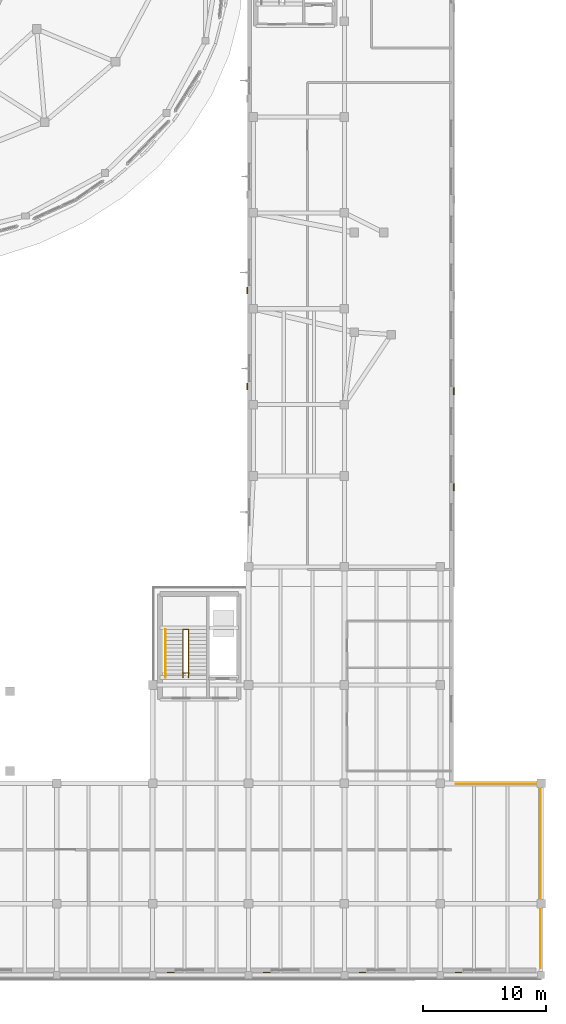
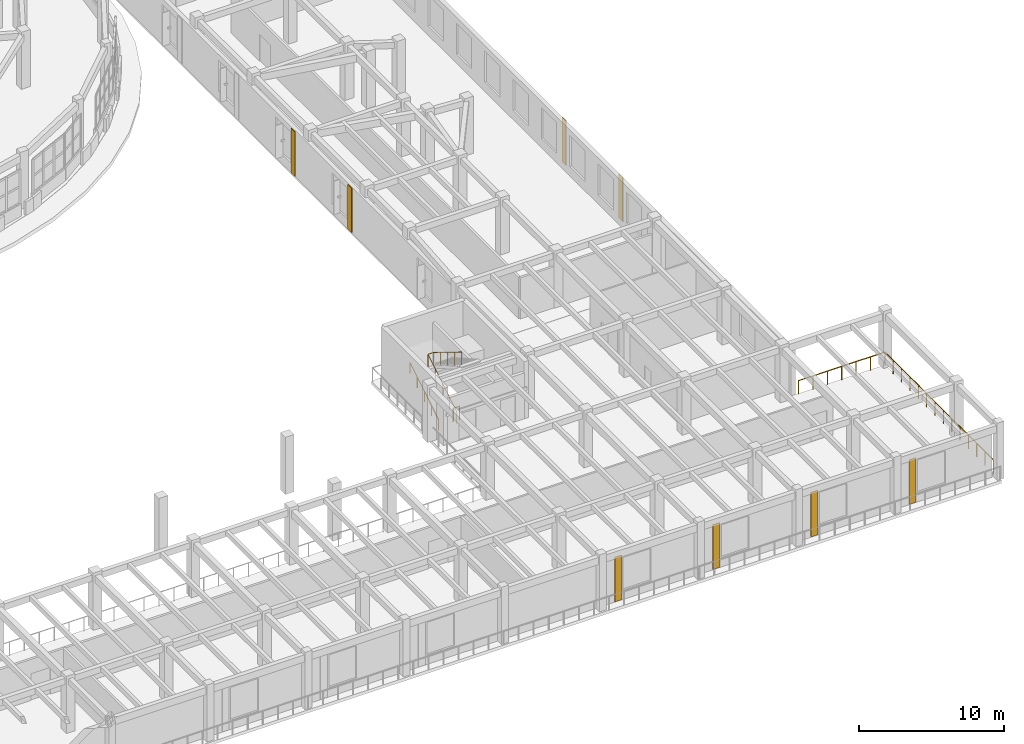
# One storey, part 96 of 98: 8 coverings, 4 railings.
"""IFC4 building model written with IfcOpenShell, lengths in metres."""

from ifc_helpers import new_model, si_unit, direction, frame, origin, origin_2d, place, context, subcontext, project, spatial, rectangle, circle, extrude, material, layer, layer_set, type_object, element, save


model = new_model("IFC4")

# Units and contexts
model_context = context("Model", 3, precision=1e-05, world=origin(), true_north=direction((0.0, 1.0)))
body_context = subcontext(model_context, "Body", "Model", "MODEL_VIEW")
ifc_project = project(units=[si_unit("LENGTHUNIT", "METRE"), si_unit("AREAUNIT", "SQUARE_METRE"), si_unit("VOLUMEUNIT", "CUBIC_METRE"), si_unit("PLANEANGLEUNIT", "RADIAN"), si_unit("MASSUNIT", "GRAM", prefix="KILO")], contexts=[model_context])

# Site, building, storey
site_placement = place(None, origin())
site = spatial("IfcSite", under=ifc_project, at=site_placement, CompositionType="ELEMENT")
building_placement = place(site_placement, origin())
building = spatial("IfcBuilding", under=site, at=building_placement, Name="Pelvatis Terrace Science Centre", CompositionType="ELEMENT")
storey_placement = place(building_placement, frame((0.0, 0.0, 5.39990234375)))
storey = spatial("IfcBuildingStorey", under=building, at=storey_placement, Name="L01", CompositionType="ELEMENT", Elevation=5.39990234375)

# Coverings
ifc_material_1 = material(Name="Fluted warm stone-aggregate precast facade relief panel", Category="masonry")
ifc_layer = layer(ifc_material_1, 0.054931640625)
ifc_layer_set = layer_set([ifc_layer], Name="Fluted warm stone-aggregate precast facade relief panel")
covering_type = type_object("IfcCoveringType", Name="COV-CLAD-PREC-55", PredefinedType="CLADDING", material=ifc_layer_set)
for number, where, z_axis, x_axis, name in (
    (1, (134.080078125, 0.60498046875, 0.06005859375), (0.0, 0.0, 1.0), (1.0, 0.0, 0.0), "Classical fluted stone pilaster strip 08"),
    (2, (141.8798828125, 0.60498046875, 0.06005859375), (0.0, 0.0, 1.0), (1.0, 0.0, 0.0), "Classical fluted stone pilaster strip 09"),
    (3, (149.679931640625, 0.60498046875, 0.06005859375), (0.0, 0.0, 1.0), (1.0, 0.0, 0.0), "Classical fluted stone pilaster strip 10"),
    (4, (157.47998046875, 0.60498046875, 0.06005859375), (0.0, 0.0, 1.0), (1.0, 0.0, 0.0), "Classical fluted stone pilaster strip 11"),
):
    element("IfcCovering", number, at=place(storey_placement, frame(where, z_axis=z_axis, x_axis=x_axis)), inside=storey, type_object=covering_type, Name=name, PredefinedType="CLADDING", context=body_context, shape_type="SweptSolid", body=[
        extrude(rectangle(XDim=0.550048828125, YDim=0.054931640625, at=origin_2d()), origin(), (0.0, 0.0, 1.0), 3.739990234375),
    ])
for number, where, z_axis, x_axis, name in (
    (5, (157.094970703125, 40.080078125, 0.06005859375), (0.0, 0.0, 1.0), (1.0, 0.0, 0.0), "Classical fluted stone pilaster strip 12"),
    (6, (157.094970703125, 47.8798828125, 0.06005859375), (0.0, 0.0, 1.0), (1.0, 0.0, 0.0), "Classical fluted stone pilaster strip 13"),
    (7, (140.29248046875, 48.280029296875, 0.06005859375), (0.0, 0.0, 1.0), (1.0, 0.0, 0.0), "Classical fluted stone pilaster strip 25"),
    (8, (140.29248046875, 56.080078125, 0.06005859375), (0.0, 0.0, 1.0), (1.0, 0.0, 0.0), "Classical fluted stone pilaster strip 26"),
):
    element("IfcCovering", number, at=place(storey_placement, frame(where, z_axis=z_axis, x_axis=x_axis)), inside=storey, type_object=covering_type, Name=name, PredefinedType="CLADDING", context=body_context, shape_type="SweptSolid", body=[
        extrude(rectangle(XDim=0.054931640625, YDim=0.550048828125, at=origin_2d()), origin(), (0.0, 0.0, 1.0), 3.739990234375),
    ])

# Railings
ifc_material_2 = material(Name="Bronze-anodised aluminium and laminated safety glass balustrade", Category="aluminium")
railing_type_1 = type_object("IfcRailingType", Name="RLG-BAL-1150", PredefinedType="BALUSTRADE", material=ifc_material_2)
railing_1_placement = place(storey_placement, frame((157.284912109375, 15.93994140625, 0.0)))
element("IfcRailing", 9, at=railing_1_placement, inside=storey, type_object=railing_type_1, Name="Perimeter edge balustrade RLG-EDG-L01-095", PredefinedType="BALUSTRADE", context=body_context, shape_type="SweptSolid", body=[
    extrude(circle(Radius=0.02392578125, at=origin_2d()), frame((0.0, 0.0, 1.1259765625), z_axis=(1.0, 0.0, 0.0), x_axis=(0.0, 1.0, 0.0)), (0.0, 0.0, 1.0), 6.85498046875),
    extrude(circle(Radius=0.02392578125, at=origin_2d()), frame((6.85498046875, 0.0, 1.1259765625), z_axis=(0.0, -1.0, 0.0), x_axis=(1.0, 0.0, 0.0)), (0.0, 0.0, 1.0), 14.949462890625),
    extrude(circle(Radius=0.02099609375, at=origin_2d()), origin(), (0.0, 0.0, 1.0), 1.101806640625),
    extrude(circle(Radius=0.02099609375, at=origin_2d()), frame((1.142578125, 0.0, 0.0)), (0.0, 0.0, 1.0), 1.101806640625),
    extrude(circle(Radius=0.02099609375, at=origin_2d()), frame((2.284912109375, 0.0, 0.0)), (0.0, 0.0, 1.0), 1.101806640625),
    extrude(circle(Radius=0.02099609375, at=origin_2d()), frame((3.427490234375, 0.0, 0.0)), (0.0, 0.0, 1.0), 1.101806640625),
    extrude(circle(Radius=0.02099609375, at=origin_2d()), frame((4.570068359375, 0.0, 0.0)), (0.0, 0.0, 1.0), 1.101806640625),
    extrude(circle(Radius=0.02099609375, at=origin_2d()), frame((5.71240234375, 0.0, 0.0)), (0.0, 0.0, 1.0), 1.101806640625),
    extrude(circle(Radius=0.02099609375, at=origin_2d()), frame((6.85498046875, 0.0, 0.0)), (0.0, 0.0, 1.0), 1.101806640625),
    extrude(circle(Radius=0.02099609375, at=origin_2d()), frame((6.85498046875, -1.14990234375, 0.0)), (0.0, 0.0, 1.0), 1.101806640625),
    extrude(circle(Radius=0.02099609375, at=origin_2d()), frame((6.85498046875, -2.2998046875, 0.0)), (0.0, 0.0, 1.0), 1.101806640625),
    extrude(circle(Radius=0.02099609375, at=origin_2d()), frame((6.85498046875, -3.449951171875, 0.0)), (0.0, 0.0, 1.0), 1.101806640625),
    extrude(circle(Radius=0.02099609375, at=origin_2d()), frame((6.85498046875, -4.599853515625, 0.0)), (0.0, 0.0, 1.0), 1.101806640625),
    extrude(circle(Radius=0.02099609375, at=origin_2d()), frame((6.85498046875, -5.749755859375, 0.0)), (0.0, 0.0, 1.0), 1.101806640625),
    extrude(circle(Radius=0.02099609375, at=origin_2d()), frame((6.85498046875, -6.899658203125, 0.0)), (0.0, 0.0, 1.0), 1.101806640625),
    extrude(circle(Radius=0.02099609375, at=origin_2d()), frame((6.85498046875, -8.0498046875, 0.0)), (0.0, 0.0, 1.0), 1.101806640625),
    extrude(circle(Radius=0.02099609375, at=origin_2d()), frame((6.85498046875, -9.19970703125, 0.0)), (0.0, 0.0, 1.0), 1.101806640625),
    extrude(circle(Radius=0.02099609375, at=origin_2d()), frame((6.85498046875, -10.349609375, 0.0)), (0.0, 0.0, 1.0), 1.101806640625),
    extrude(circle(Radius=0.02099609375, at=origin_2d()), frame((6.85498046875, -11.49951171875, 0.0)), (0.0, 0.0, 1.0), 1.101806640625),
    extrude(circle(Radius=0.02099609375, at=origin_2d()), frame((6.85498046875, -12.649658203125, 0.0)), (0.0, 0.0, 1.0), 1.101806640625),
    extrude(circle(Radius=0.02099609375, at=origin_2d()), frame((6.85498046875, -13.799560546875, 0.0)), (0.0, 0.0, 1.0), 1.101806640625),
    extrude(circle(Radius=0.02099609375, at=origin_2d()), frame((6.85498046875, -14.949462890625, 0.0)), (0.0, 0.0, 1.0), 1.101806640625),
])
ifc_material_3 = material(Name="Brushed architectural bronze tubular railing", Category="steel")
railing_type_2 = type_object("IfcRailingType", Name="RLG-GRD-1120", PredefinedType="GUARDRAIL", material=ifc_material_3)
railing_2_placement = place(storey_placement, frame((135.080078125, 24.60009765625, 0.0)))
element("IfcRailing", 10, at=railing_2_placement, inside=storey, type_object=railing_type_2, Name="Stair ST-04-L01 inner well guardrail", PredefinedType="GUARDRAIL", context=body_context, shape_type="SweptSolid", body=[
    extrude(circle(Radius=0.02392578125, at=origin_2d()), frame((0.0, 0.0, 1.09619140625), z_axis=(0.0, 0.851638180308, 0.5241301459), x_axis=(-1.0, 0.0, 0.0)), (0.0, 0.0, 1.0), 4.579345703125),
    extrude(circle(Radius=0.02392578125, at=origin_2d()), frame((0.0, 3.89990234375, 3.49609375), z_axis=(1.0, 0.0, 0.0), x_axis=(0.0, 1.0, 0.0)), (0.0, 0.0, 1.0), 0.43994140625),
    extrude(circle(Radius=0.02392578125, at=origin_2d()), frame((0.43994140625, 3.89990234375, 3.49609375), z_axis=(0.0, -0.851661977835, 0.524091476281), x_axis=(1.0, 0.0, 0.0)), (0.0, 0.0, 1.0), 4.5791015625),
    extrude(circle(Radius=0.02099609375, at=origin_2d()), origin(), (0.0, 0.0, 1.0), 1.072021484375),
    extrude(circle(Radius=0.02099609375, at=origin_2d()), frame((0.0, 0.97509765625, 0.60009765625)), (0.0, 0.0, 1.0), 1.072021484375),
    extrude(circle(Radius=0.02099609375, at=origin_2d()), frame((0.0, 1.949951171875, 1.2001953125)), (0.0, 0.0, 1.0), 1.072021484375),
    extrude(circle(Radius=0.02099609375, at=origin_2d()), frame((0.0, 2.9248046875, 1.800048828125)), (0.0, 0.0, 1.0), 1.072021484375),
    extrude(circle(Radius=0.02099609375, at=origin_2d()), frame((0.0, 3.89990234375, 2.400146484375)), (0.0, 0.0, 1.0), 1.072021484375),
    extrude(circle(Radius=0.02099609375, at=origin_2d()), frame((0.43994140625, 3.89990234375, 2.400146484375)), (0.0, 0.0, 1.0), 1.072021484375),
    extrude(circle(Radius=0.02099609375, at=origin_2d()), frame((0.43994140625, 2.9248046875, 3.0)), (0.0, 0.0, 1.0), 1.072021484375),
    extrude(circle(Radius=0.02099609375, at=origin_2d()), frame((0.43994140625, 1.949951171875, 3.60009765625)), (0.0, 0.0, 1.0), 1.072021484375),
    extrude(circle(Radius=0.02099609375, at=origin_2d()), frame((0.43994140625, 0.97509765625, 4.2001953125)), (0.0, 0.0, 1.0), 1.072021484375),
    extrude(circle(Radius=0.02099609375, at=origin_2d()), frame((0.43994140625, 0.0, 4.800048828125)), (0.0, 0.0, 1.0), 1.072021484375),
])
railing_3_placement = place(storey_placement, frame((135.050048828125, 24.97998046875, 0.0)))
element("IfcRailing", 11, at=railing_3_placement, inside=storey, type_object=railing_type_2, Name="Core C4 landing well slot guard (L01)", PredefinedType="GUARDRAIL", context=body_context, shape_type="SweptSolid", body=[
    extrude(circle(Radius=0.02392578125, at=origin_2d()), frame((0.0, 0.0, 1.09619140625), z_axis=(1.0, 0.0, 0.0), x_axis=(0.0, 1.0, 0.0)), (0.0, 0.0, 1.0), 0.5),
    extrude(circle(Radius=0.02099609375, at=origin_2d()), origin(), (0.0, 0.0, 1.0), 1.072021484375),
    extrude(circle(Radius=0.02099609375, at=origin_2d()), frame((0.5, 0.0, 0.0)), (0.0, 0.0, 1.0), 1.072021484375),
])
ifc_material_4 = material(Name="Brushed architectural bronze tubular railing", Category="steel")
railing_type_3 = type_object("IfcRailingType", Name="RLG-HND-0900", PredefinedType="HANDRAIL", material=ifc_material_4)
railing_4_placement = place(storey_placement, frame((133.659912109375, 24.60009765625, 0.0)))
element("IfcRailing", 12, at=railing_4_placement, inside=storey, type_object=railing_type_3, Name="Stair ST-04-L01 wall handrail", PredefinedType="HANDRAIL", context=body_context, shape_type="SweptSolid", body=[
    extrude(circle(Radius=0.02392578125, at=origin_2d()), frame((0.0, 0.0, 0.8759765625), z_axis=(0.0, 0.851638180308, 0.5241301459), x_axis=(-1.0, 0.0, 0.0)), (0.0, 0.0, 1.0), 4.579345703125),
    extrude(circle(Radius=0.02099609375, at=origin_2d()), origin(), (0.0, 0.0, 1.0), 0.851806640625),
    extrude(circle(Radius=0.02099609375, at=origin_2d()), frame((0.0, 0.97509765625, 0.60009765625)), (0.0, 0.0, 1.0), 0.851806640625),
    extrude(circle(Radius=0.02099609375, at=origin_2d()), frame((0.0, 1.949951171875, 1.2001953125)), (0.0, 0.0, 1.0), 0.851806640625),
    extrude(circle(Radius=0.02099609375, at=origin_2d()), frame((0.0, 2.9248046875, 1.800048828125)), (0.0, 0.0, 1.0), 0.851806640625),
    extrude(circle(Radius=0.02099609375, at=origin_2d()), frame((0.0, 3.89990234375, 2.400146484375)), (0.0, 0.0, 1.0), 0.851806640625),
])

save(model, "model.ifc")
